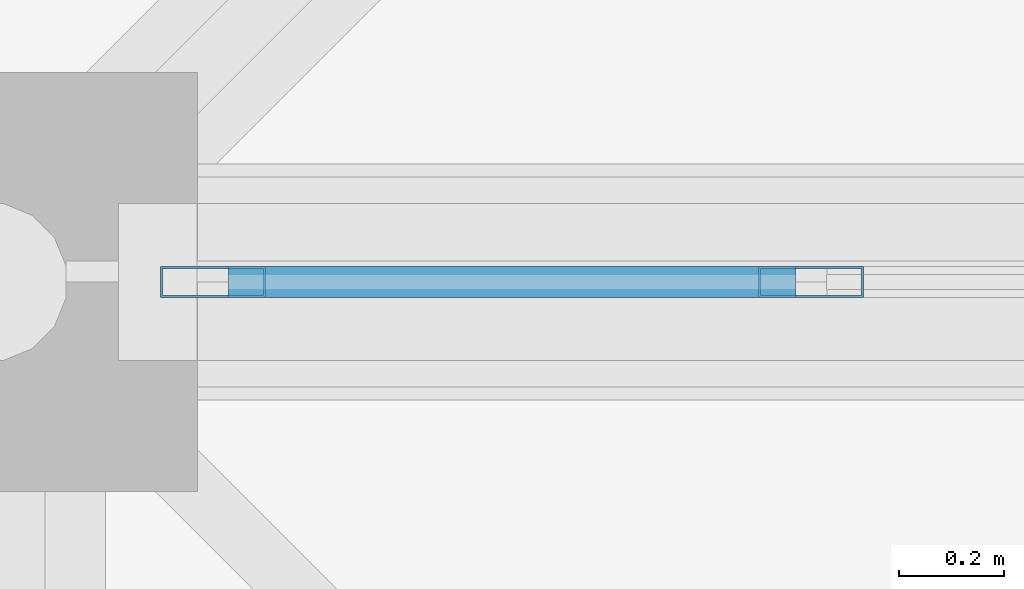
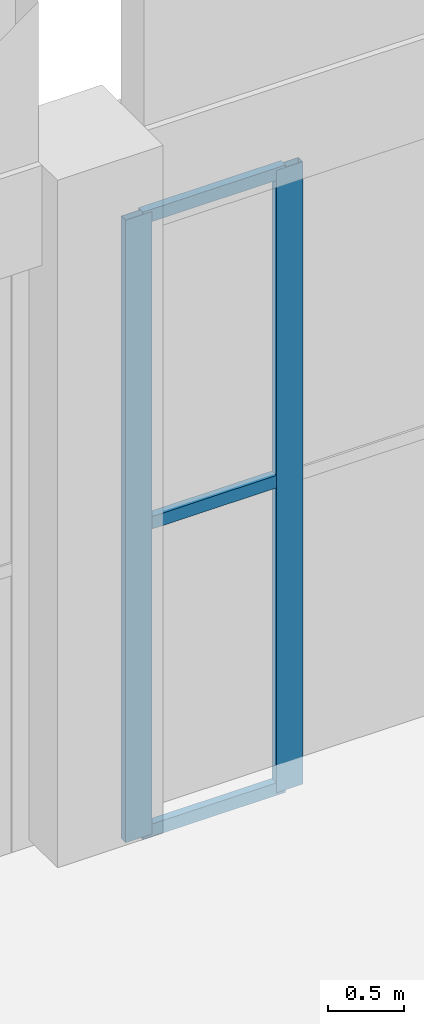
# One storey, part 119 of 437: 5 members, 1 element without a shape of its own.
"""IFC4 building model written with IfcOpenShell, lengths in metres."""

from ifc_helpers import new_model, si_unit, direction, frame, origin, origin_2d, place, context, subcontext, project, spatial, hollow_rectangle, extrude, material, layer, layer_set, material_profile, profile_set, type_object, element, aggregate, save


model = new_model("IFC4")

# Units and contexts
model_context = context("Model", 3, precision=1e-05, world=origin(), true_north=direction((0.0, 1.0)))
body_context = subcontext(model_context, "Body", "Model", "MODEL_VIEW")
ifc_project = project(units=[si_unit("LENGTHUNIT", "METRE"), si_unit("AREAUNIT", "SQUARE_METRE"), si_unit("VOLUMEUNIT", "CUBIC_METRE"), si_unit("PLANEANGLEUNIT", "RADIAN"), si_unit("MASSUNIT", "GRAM", prefix="KILO")], contexts=[model_context])

# Site, building, storey
site_placement = place(None, origin())
site = spatial("IfcSite", under=ifc_project, at=site_placement, CompositionType="ELEMENT")
building_placement = place(site_placement, origin())
building = spatial("IfcBuilding", under=site, at=building_placement, Name="Opaline Strait Convention Centre", CompositionType="ELEMENT")
storey_placement = place(building_placement, frame((0.0, 0.0, 11.5)))
storey = spatial("IfcBuildingStorey", under=building, at=storey_placement, Name="L02", CompositionType="ELEMENT", Elevation=11.5)

# Curtain wall, members
ifc_material_1 = material(Name="Aluminium framed double glazing", Category="aluminium")
ifc_layer = layer(ifc_material_1, 0.199951171875)
ifc_layer_set = layer_set([ifc_layer], Name="Aluminium framed double glazing")
curtain_wall_type = type_object("IfcCurtainWallType", Name="Curtain wall 1250", PredefinedType="NOTDEFINED", material=ifc_layer_set)
curtain_wall_placement = place(storey_placement, origin())
curtain_wall = element("IfcCurtainWall", 1, at=curtain_wall_placement, inside=storey, type_object=curtain_wall_type, Name="Curtain wall N-36-L02", PredefinedType="NOTDEFINED")
ifc_material_2 = material(Name="Aluminium alloy 6063", Category="aluminium")
ifc_material_profile_1 = material_profile(ifc_material_2, hollow_rectangle(XDim=0.06005859375, YDim=0.199951171875, WallThickness=0.00390625, at=origin_2d()), Name="MULLION 60x200x4")
ifc_profile_set_1 = profile_set([ifc_material_profile_1], Name="Aluminium alloy 6063")
member_type_1 = type_object("IfcMemberType", Name="Curtain wall mullion 60 x 200", PredefinedType="MULLION", material=ifc_profile_set_1)
member_1_placement = place(storey_placement, frame((36.429931640625, 180.0, -0.280029296875), z_axis=(0.0, 0.0, 1.0), x_axis=(0.0, 1.0, 0.0)))
member_1 = element("IfcMember", 2, at=member_1_placement, type_object=member_type_1, Name="PCW mullion 1", PredefinedType="MULLION", context=body_context, shape_type="SweptSolid", body=[
    extrude(hollow_rectangle(XDim=0.06005859375, YDim=0.199951171875, WallThickness=0.00390625, at=origin_2d()), origin(), (0.0, 0.0, 1.0), 4.97998046875),
])
member_2_placement = place(storey_placement, frame((37.5712890625, 180.0, -0.280029296875), z_axis=(0.0, 0.0, 1.0), x_axis=(0.0, 1.0, 0.0)))
member_2 = element("IfcMember", 3, at=member_2_placement, type_object=member_type_1, Name="PCW mullion 2", PredefinedType="MULLION", context=body_context, shape_type="SweptSolid", body=[
    extrude(hollow_rectangle(XDim=0.06005859375, YDim=0.199951171875, WallThickness=0.00390625, at=origin_2d()), origin(), (0.0, 0.0, 1.0), 4.97998046875),
])
ifc_material_profile_2 = material_profile(ifc_material_2, hollow_rectangle(XDim=0.06005859375, YDim=0.10009765625, WallThickness=0.0029296875, at=origin_2d()), Name="TRANSOM 60x100x3")
ifc_profile_set_2 = profile_set([ifc_material_profile_2], Name="Aluminium alloy 6063")
member_type_2 = type_object("IfcMemberType", Name="Curtain wall transom 60 x 100", PredefinedType="USERDEFINED", material=ifc_profile_set_2)
member_3_placement = place(storey_placement, frame((36.4599609375, 180.0, -0.25), z_axis=(1.0, 0.0, 0.0), x_axis=(0.0, 1.0, 0.0)))
member_3 = element("IfcMember", 4, at=member_3_placement, type_object=member_type_2, Name="PCW transom 1.1", ObjectType="TRANSOM", PredefinedType="USERDEFINED", context=body_context, shape_type="SweptSolid", body=[
    extrude(hollow_rectangle(XDim=0.06005859375, YDim=0.10009765625, WallThickness=0.0029296875, at=origin_2d()), origin(), (0.0, 0.0, 1.0), 1.081298828125),
])
member_4_placement = place(storey_placement, frame((36.4599609375, 180.0, 2.2099609375), z_axis=(1.0, 0.0, 0.0), x_axis=(0.0, 1.0, 0.0)))
member_4 = element("IfcMember", 5, at=member_4_placement, type_object=member_type_2, Name="PCW transom 1.2", ObjectType="TRANSOM", PredefinedType="USERDEFINED", context=body_context, shape_type="SweptSolid", body=[
    extrude(hollow_rectangle(XDim=0.06005859375, YDim=0.10009765625, WallThickness=0.0029296875, at=origin_2d()), origin(), (0.0, 0.0, 1.0), 1.081298828125),
])
member_5_placement = place(storey_placement, frame((36.4599609375, 180.0, 4.669921875), z_axis=(1.0, 0.0, 0.0), x_axis=(0.0, 1.0, 0.0)))
member_5 = element("IfcMember", 6, at=member_5_placement, type_object=member_type_2, Name="PCW transom 1.3", ObjectType="TRANSOM", PredefinedType="USERDEFINED", context=body_context, shape_type="SweptSolid", body=[
    extrude(hollow_rectangle(XDim=0.06005859375, YDim=0.10009765625, WallThickness=0.0029296875, at=origin_2d()), origin(), (0.0, 0.0, 1.0), 1.081298828125),
])
aggregate(curtain_wall, [member_1, member_2, member_3, member_4, member_5])

save(model, "model.ifc")
